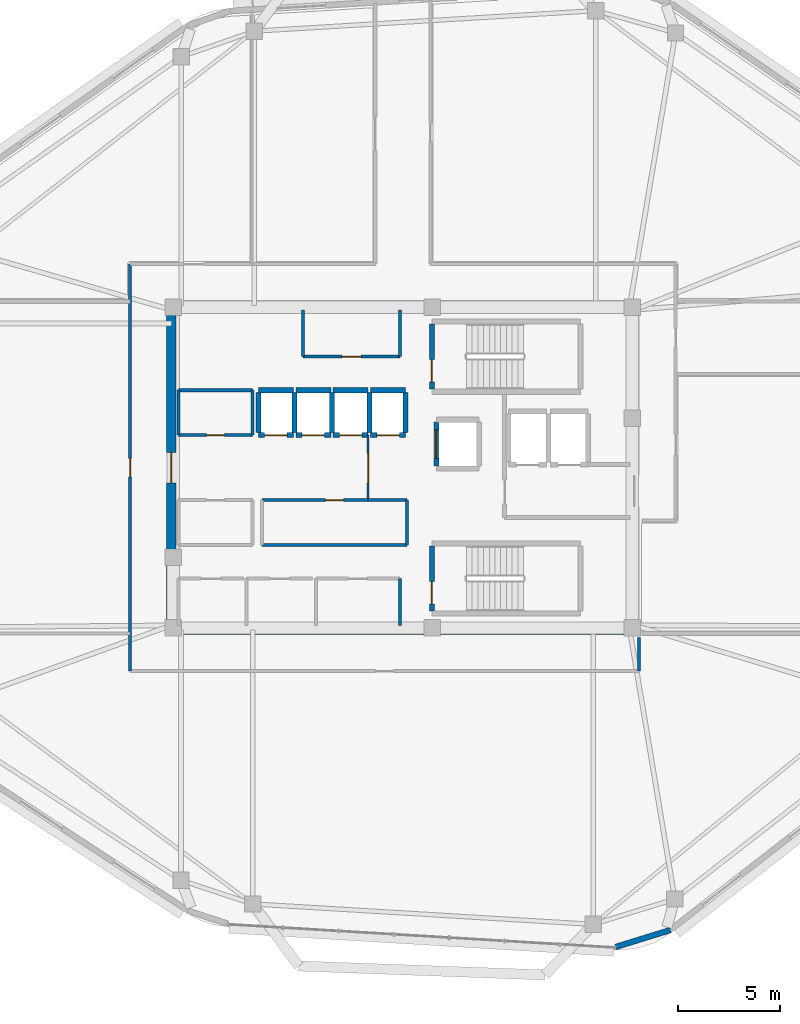
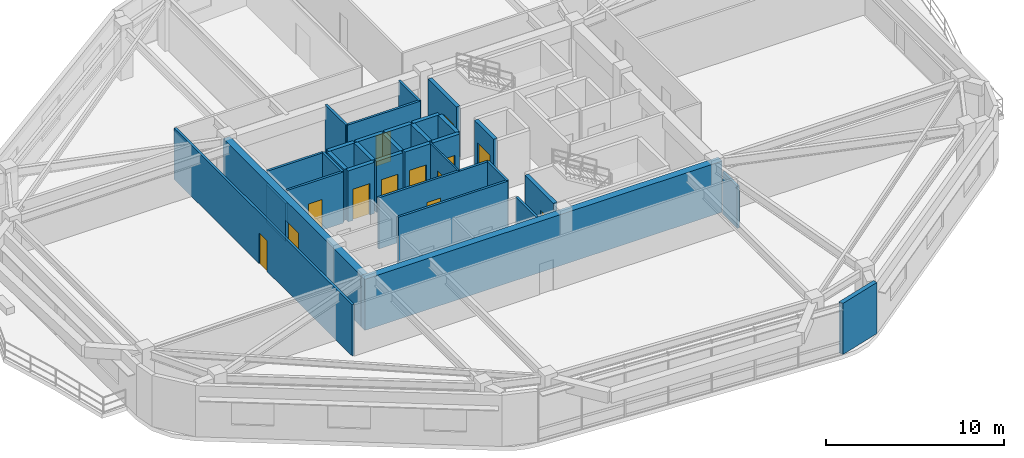
# One storey, part 7 of 12: 33 walls, 13 doors, 13 openings.
"""IFC4 building model written with IfcOpenShell, lengths in metres."""

from ifc_helpers import new_model, si_unit, direction, frame, frame_2d, origin, place, context, subcontext, project, spatial, rectangle, extrude, material, layer, layer_set, type_object, element, fill, save


model = new_model("IFC4")

# Units and contexts
model_context = context("Model", 3, precision=1e-05, world=origin(), true_north=direction((0.0, 1.0)))
body_context = subcontext(model_context, "Body", "Model", "MODEL_VIEW")
ifc_project = project(units=[si_unit("LENGTHUNIT", "METRE"), si_unit("AREAUNIT", "SQUARE_METRE"), si_unit("VOLUMEUNIT", "CUBIC_METRE"), si_unit("PLANEANGLEUNIT", "RADIAN"), si_unit("MASSUNIT", "GRAM", prefix="KILO")], contexts=[model_context])

# Site, building, storey
site_placement = place(None, origin())
site = spatial("IfcSite", under=ifc_project, at=site_placement, CompositionType="ELEMENT")
building_placement = place(site_placement, origin())
building = spatial("IfcBuilding", under=site, at=building_placement, Name="Zulverin Broadcast Headquarters", CompositionType="ELEMENT")
storey_placement = place(building_placement, frame((0.0, 0.0, 255.39990234375)))
storey = spatial("IfcBuildingStorey", under=building, at=storey_placement, Name="L65", CompositionType="ELEMENT", Elevation=255.39990234375)

# Wall
ifc_material_1 = material(Name="Concrete C50/60", Category="concrete")
ifc_layer_1 = layer(ifc_material_1, 0.449951171875, Name="Concrete C50/60", Category="concrete")
ifc_layer_set_1 = layer_set([ifc_layer_1], Name="Concrete C50/60")
wall_type_1 = type_object("IfcWallType", Name="WL-CORE-450", PredefinedType="SHEAR", material=ifc_layer_set_1)
wall_1_placement = place(storey_placement, frame((25.39990234375, 17.22509765625, 0.0), z_axis=(0.0, 0.0, 1.0), x_axis=(1.0, 0.0, 0.0)))
element("IfcWall", 1, at=wall_1_placement, inside=storey, type_object=wall_type_1, Name="L65 Core South Shear Wall", PredefinedType="SHEAR", context=body_context, shape_type="SweptSolid", body=[
    extrude(rectangle(XDim=23.2001953125, YDim=0.449951171875, at=frame_2d((11.60009765625, 0.0))), origin(), (0.0, 0.0, 1.0), 3.510009765625),
])

# Wall, opening, door
wall_2_placement = place(storey_placement, frame((25.625, 17.449951171875, 0.0), z_axis=(0.0, 0.0, 1.0), x_axis=(0.0, 1.0, 0.0)))
wall_2 = element("IfcWall", 2, at=wall_2_placement, inside=storey, type_object=wall_type_1, Name="L65 Core West Shear Wall", PredefinedType="SHEAR", context=body_context, shape_type="SweptSolid", body=[
    extrude(rectangle(XDim=15.5, YDim=0.449951171875, at=frame_2d((7.75, 0.0))), origin(), (0.0, 0.0, 1.0), 3.510009765625),
])
opening_1_placement = place(wall_2_placement, frame((7.0, 0.0, 0.0)))
opening_1 = element("IfcOpeningElement", 3, at=opening_1_placement, cuts=wall_2, Name="Opening D-L65-CW1", PredefinedType="OPENING", context=body_context, shape_type="SweptSolid", body=[
    extrude(rectangle(XDim=1.5, YDim=2.14990234375, at=frame_2d((0.75, 1.074951171875))), frame((0.0, 0.23486328125, 0.0), z_axis=(0.0, -1.0, 0.0), x_axis=(1.0, 0.0, 0.0)), (0.0, 0.0, 1.0), 0.469970703125),
])
ifc_material_2 = material(Name="Fire-rated glazed steel frame", Category="steel")
door_type_1 = type_object("IfcDoorType", Name="DR-COR-1500", OperationType="DOUBLE_DOOR_SINGLE_SWING", PredefinedType="DOOR", material=ifc_material_2)
door_1_placement = place(opening_1_placement, origin())
door_1 = element("IfcDoor", 4, at=door_1_placement, inside=storey, type_object=door_type_1, Name="L65 Central Lift Lobby West Portal Door", OperationType="DOUBLE_DOOR_SINGLE_SWING", OverallHeight=2.14990234375, OverallWidth=1.5, PredefinedType="DOOR", context=body_context, shape_type="SweptSolid", body=[
    extrude(rectangle(XDim=1.5, YDim=2.14990234375, at=frame_2d((0.75, 1.074951171875))), frame((0.0, 0.02490234375, 0.0), z_axis=(0.0, -1.0, 0.0), x_axis=(1.0, 0.0, 0.0)), (0.0, 0.0, 1.0), 0.050048828125),
])
fill(opening_1, door_1)

# Wall
ifc_material_3 = material(Name="Insulated pale-metal clad concrete spandrel C40/50", Category="concrete")
ifc_layer_2 = layer(ifc_material_3, 0.280029296875, Name="Insulated pale-metal clad concrete spandrel C40/50", Category="concrete")
ifc_layer_set_2 = layer_set([ifc_layer_2], Name="Insulated pale-metal clad concrete spandrel C40/50")
wall_type_2 = type_object("IfcWallType", Name="WL-EXT-280", PredefinedType="STANDARD", material=ifc_layer_set_2)
wall_3_placement = place(storey_placement, frame((47.4482421875, 1.6455078125, 0.0), z_axis=(0.0, 0.0, 1.0), x_axis=(0.955196399159, 0.295972699812, 0.0)))
element("IfcWall", 5, at=wall_3_placement, inside=storey, type_object=wall_type_2, Name="L65 Wind-Shaped Corner Spandrel Wall 1-1", PredefinedType="STANDARD", context=body_context, shape_type="SweptSolid", body=[
    extrude(rectangle(XDim=2.826904296875, YDim=0.280029296875, at=frame_2d((1.41357421875, 0.0))), origin(), (0.0, 0.0, 1.0), 3.510009765625),
])

# Wall, opening, door
ifc_material_4 = material(Name="Fire-rated acoustic laminated glass screen", Category="glass")
ifc_layer_3 = layer(ifc_material_4, 0.10009765625, Name="Fire-rated acoustic laminated glass screen", Category="glass")
ifc_layer_set_3 = layer_set([ifc_layer_3], Name="Fire-rated acoustic laminated glass screen")
wall_type_3 = type_object("IfcWallType", Name="WL-GLAZ-100", PredefinedType="PARTITIONING", material=ifc_layer_set_3)
wall_4_placement = place(storey_placement, frame((35.300048828125, 23.60009765625, 0.0), z_axis=(0.0, 0.0, 1.0), x_axis=(0.0, 1.0, 0.0)))
wall_4 = element("IfcWall", 6, at=wall_4_placement, inside=storey, type_object=wall_type_3, Name="L65 Central Core Smoke Vestibule Screen", PredefinedType="PARTITIONING", context=body_context, shape_type="SweptSolid", body=[
    extrude(rectangle(XDim=3.199951171875, YDim=0.10009765625, at=frame_2d((1.60009765625, 0.0))), origin(), (0.0, 0.0, 1.0), 3.510009765625),
])
opening_2_placement = place(wall_4_placement, frame((0.85009765625, 0.0, 0.0)))
opening_2 = element("IfcOpeningElement", 7, at=opening_2_placement, cuts=wall_4, Name="Opening D-L65-CL2", PredefinedType="OPENING", context=body_context, shape_type="SweptSolid", body=[
    extrude(rectangle(XDim=1.449951171875, YDim=2.1201171875, at=frame_2d((0.72509765625, 1.06005859375))), frame((0.0, 0.06005859375, 0.0), z_axis=(0.0, -1.0, 0.0), x_axis=(1.0, 0.0, 0.0)), (0.0, 0.0, 1.0), 0.1201171875),
])
ifc_material_5 = material(Name="Fire-rated acoustic glazed double leaf", Category="glass")
door_type_2 = type_object("IfcDoorType", Name="DR-GLZ-1450", OperationType="DOUBLE_DOOR_SINGLE_SWING", PredefinedType="DOOR", material=ifc_material_5)
door_2_placement = place(opening_2_placement, origin())
door_2 = element("IfcDoor", 8, at=door_2_placement, inside=storey, type_object=door_type_2, Name="L65 Central Core Smoke Vestibule Door", OperationType="DOUBLE_DOOR_SINGLE_SWING", OverallHeight=2.1201171875, OverallWidth=1.449951171875, PredefinedType="DOOR", context=body_context, shape_type="SweptSolid", body=[
    extrude(rectangle(XDim=1.449951171875, YDim=2.1201171875, at=frame_2d((0.72509765625, 1.06005859375))), frame((0.0, 0.02490234375, 0.0), z_axis=(0.0, -1.0, 0.0), x_axis=(1.0, 0.0, 0.0)), (0.0, 0.0, 1.0), 0.050048828125),
])
fill(opening_2, door_2)

ifc_material_6 = material(Name="Fire-rated gypsum stud partition", Category="gypsum")
ifc_layer_4 = layer(ifc_material_6, 0.14990234375, Name="Fire-rated gypsum stud partition", Category="gypsum")
ifc_layer_set_4 = layer_set([ifc_layer_4], Name="Fire-rated gypsum stud partition")
wall_type_4 = type_object("IfcWallType", Name="WL-PART-150", PredefinedType="PARTITIONING", material=ifc_layer_set_4)
wall_5_placement = place(storey_placement, frame((32.10009765625, 30.64990234375, 0.0), z_axis=(0.0, 0.0, 1.0), x_axis=(1.0, 0.0, 0.0)))
wall_5 = element("IfcWall", 9, at=wall_5_placement, inside=storey, type_object=wall_type_4, Name="L65 Core Accessible WC & Electrical Riser Front Wall", PredefinedType="PARTITIONING", context=body_context, shape_type="SweptSolid", body=[
    extrude(rectangle(XDim=4.75, YDim=0.14990234375, at=frame_2d((2.375, 0.0))), origin(), (0.0, 0.0, 1.0), 3.510009765625),
])
opening_3_placement = place(wall_5_placement, frame((1.89990234375, 0.0, 0.0)))
opening_3 = element("IfcOpeningElement", 10, at=opening_3_placement, cuts=wall_5, Name="Opening D-L65-NC1", PredefinedType="OPENING", context=body_context, shape_type="SweptSolid", body=[
    extrude(rectangle(XDim=0.949951171875, YDim=2.10009765625, at=frame_2d((0.47509765625, 1.050048828125))), frame((0.0, 0.0849609375, 0.0), z_axis=(0.0, -1.0, 0.0), x_axis=(1.0, 0.0, 0.0)), (0.0, 0.0, 1.0), 0.169921875),
])
ifc_material_7 = material(Name="Fire-rated moisture-resistant laminate leaf", Category="wood")
door_type_3 = type_object("IfcDoorType", Name="DR-WC-950", OperationType="SINGLE_SWING_LEFT", PredefinedType="DOOR", material=ifc_material_7)
door_3_placement = place(opening_3_placement, origin())
door_3 = element("IfcDoor", 11, at=door_3_placement, inside=storey, type_object=door_type_3, Name="L65 Accessible WC & Electrical Riser Door", OperationType="SINGLE_SWING_LEFT", OverallHeight=2.10009765625, OverallWidth=0.949951171875, PredefinedType="DOOR", context=body_context, shape_type="SweptSolid", body=[
    extrude(rectangle(XDim=0.949951171875, YDim=2.10009765625, at=frame_2d((0.47509765625, 1.050048828125))), frame((0.0, 0.02490234375, 0.0), z_axis=(0.0, -1.0, 0.0), x_axis=(1.0, 0.0, 0.0)), (0.0, 0.0, 1.0), 0.050048828125),
])
fill(opening_3, door_3)

# Walls
for number, where, z_axis, x_axis, name in (
    (12, (32.10009765625, 30.64990234375, 0.0), (0.0, 0.0, 1.0), (0.0, 1.0, 0.0), "L65 Core Accessible WC & Electrical Riser West Wall"),
    (13, (36.85009765625, 30.64990234375, 0.0), (0.0, 0.0, 1.0), (0.0, 1.0, 0.0), "L65 Core Accessible WC & Electrical Riser East Wall"),
    (14, (36.85009765625, 17.449951171875, 0.0), (0.0, 0.0, 1.0), (0.0, 1.0, 0.0), "L65 Core Cleaner Store East Wall"),
):
    element("IfcWall", number, at=place(storey_placement, frame(where, z_axis=z_axis, x_axis=x_axis)), inside=storey, type_object=wall_type_4, Name=name, PredefinedType="PARTITIONING", context=body_context, shape_type="SweptSolid", body=[
        extrude(rectangle(XDim=2.300048828125, YDim=0.14990234375, at=frame_2d((1.14990234375, 0.0))), origin(), (0.0, 0.0, 1.0), 3.510009765625),
    ])

# Wall, opening, door
wall_6_placement = place(storey_placement, frame((25.969970703125, 26.800048828125, 0.0), z_axis=(0.0, 0.0, 1.0), x_axis=(1.0, 0.0, 0.0)))
wall_6 = element("IfcWall", 15, at=wall_6_placement, inside=storey, type_object=wall_type_4, Name="L65 Broadcast Signal Patch Room S Wall", PredefinedType="PARTITIONING", context=body_context, shape_type="SweptSolid", body=[
    extrude(rectangle(XDim=3.650146484375, YDim=0.14990234375, at=frame_2d((1.8251953125, 0.0))), origin(), (0.0, 0.0, 1.0), 3.510009765625),
])
opening_4_placement = place(wall_6_placement, frame((1.375, 0.0, 0.0)))
opening_4 = element("IfcOpeningElement", 16, at=opening_4_placement, cuts=wall_6, Name="Opening D-L65-RCLN", PredefinedType="OPENING", context=body_context, shape_type="SweptSolid", body=[
    extrude(rectangle(XDim=0.89990234375, YDim=2.10009765625, at=frame_2d((0.449951171875, 1.050048828125))), frame((0.0, 0.0849609375, 0.0), z_axis=(0.0, -1.0, 0.0), x_axis=(1.0, 0.0, 0.0)), (0.0, 0.0, 1.0), 0.169921875),
])
ifc_material_8 = material(Name="Powder-coated steel access leaf", Category="steel")
door_type_4 = type_object("IfcDoorType", Name="DR-RISER-900", OperationType="SINGLE_SWING_LEFT", PredefinedType="DOOR", material=ifc_material_8)
door_4_placement = place(opening_4_placement, origin())
door_4 = element("IfcDoor", 17, at=door_4_placement, inside=storey, type_object=door_type_4, Name="L65 Broadcast Signal Patch Room Door", OperationType="SINGLE_SWING_LEFT", OverallHeight=2.10009765625, OverallWidth=0.89990234375, PredefinedType="DOOR", context=body_context, shape_type="SweptSolid", body=[
    extrude(rectangle(XDim=0.89990234375, YDim=2.10009765625, at=frame_2d((0.449951171875, 1.050048828125))), frame((0.0, 0.02490234375, 0.0), z_axis=(0.0, -1.0, 0.0), x_axis=(1.0, 0.0, 0.0)), (0.0, 0.0, 1.0), 0.050048828125),
])
fill(opening_4, door_4)

# Walls
wall_7_placement = place(storey_placement, frame((25.969970703125, 29.0, 0.0), z_axis=(0.0, 0.0, 1.0), x_axis=(1.0, 0.0, 0.0)))
element("IfcWall", 18, at=wall_7_placement, inside=storey, type_object=wall_type_4, Name="L65 Broadcast Signal Patch Room N Wall", PredefinedType="PARTITIONING", context=body_context, shape_type="SweptSolid", body=[
    extrude(rectangle(XDim=3.650146484375, YDim=0.14990234375, at=frame_2d((1.8251953125, 0.0))), origin(), (0.0, 0.0, 1.0), 3.510009765625),
])
wall_8_placement = place(storey_placement, frame((25.969970703125, 26.800048828125, 0.0), z_axis=(0.0, 0.0, 1.0), x_axis=(0.0, 1.0, 0.0)))
element("IfcWall", 19, at=wall_8_placement, inside=storey, type_object=wall_type_4, Name="L65 Broadcast Signal Patch Room W Wall", PredefinedType="PARTITIONING", context=body_context, shape_type="SweptSolid", body=[
    extrude(rectangle(XDim=2.199951171875, YDim=0.14990234375, at=frame_2d((1.10009765625, 0.0))), origin(), (0.0, 0.0, 1.0), 2.610107421875),
])
wall_9_placement = place(storey_placement, frame((29.6201171875, 26.800048828125, 0.0), z_axis=(0.0, 0.0, 1.0), x_axis=(0.0, 1.0, 0.0)))
element("IfcWall", 20, at=wall_9_placement, inside=storey, type_object=wall_type_4, Name="L65 Broadcast Signal Patch Room E Wall", PredefinedType="PARTITIONING", context=body_context, shape_type="SweptSolid", body=[
    extrude(rectangle(XDim=2.199951171875, YDim=0.14990234375, at=frame_2d((1.10009765625, 0.0))), origin(), (0.0, 0.0, 1.0), 3.510009765625),
])
wall_10_placement = place(storey_placement, frame((30.080078125, 21.39990234375, 0.0), z_axis=(0.0, 0.0, 1.0), x_axis=(1.0, 0.0, 0.0)))
element("IfcWall", 21, at=wall_10_placement, inside=storey, type_object=wall_type_4, Name="L65 Optical Telemetry Hub Room S Wall", PredefinedType="PARTITIONING", context=body_context, shape_type="SweptSolid", body=[
    extrude(rectangle(XDim=7.119873046875, YDim=0.14990234375, at=frame_2d((3.56005859375, 0.0))), origin(), (0.0, 0.0, 1.0), 3.510009765625),
])

# Wall, opening, door
wall_11_placement = place(storey_placement, frame((30.080078125, 23.60009765625, 0.0), z_axis=(0.0, 0.0, 1.0), x_axis=(1.0, 0.0, 0.0)))
wall_11 = element("IfcWall", 22, at=wall_11_placement, inside=storey, type_object=wall_type_4, Name="L65 Optical Telemetry Hub Room N Wall", PredefinedType="PARTITIONING", context=body_context, shape_type="SweptSolid", body=[
    extrude(rectangle(XDim=7.119873046875, YDim=0.14990234375, at=frame_2d((3.56005859375, 0.0))), origin(), (0.0, 0.0, 1.0), 3.510009765625),
])
opening_5_placement = place(wall_11_placement, frame((3.110107421875, 0.0, 0.0)))
opening_5 = element("IfcOpeningElement", 23, at=opening_5_placement, cuts=wall_11, Name="Opening D-L65-RM1", PredefinedType="OPENING", context=body_context, shape_type="SweptSolid", body=[
    extrude(rectangle(XDim=0.89990234375, YDim=2.10009765625, at=frame_2d((0.449951171875, 1.050048828125))), frame((0.0, 0.0849609375, 0.0), z_axis=(0.0, -1.0, 0.0), x_axis=(1.0, 0.0, 0.0)), (0.0, 0.0, 1.0), 0.169921875),
])
door_5_placement = place(opening_5_placement, origin())
door_5 = element("IfcDoor", 24, at=door_5_placement, inside=storey, type_object=door_type_4, Name="L65 Optical Telemetry Hub Room Door", OperationType="SINGLE_SWING_LEFT", OverallHeight=2.10009765625, OverallWidth=0.89990234375, PredefinedType="DOOR", context=body_context, shape_type="SweptSolid", body=[
    extrude(rectangle(XDim=0.89990234375, YDim=2.10009765625, at=frame_2d((0.449951171875, 1.050048828125))), frame((0.0, 0.02490234375, 0.0), z_axis=(0.0, -1.0, 0.0), x_axis=(1.0, 0.0, 0.0)), (0.0, 0.0, 1.0), 0.050048828125),
])
fill(opening_5, door_5)

# Walls
wall_12_placement = place(storey_placement, frame((37.199951171875, 21.39990234375, 0.0), z_axis=(0.0, 0.0, 1.0), x_axis=(0.0, 1.0, 0.0)))
element("IfcWall", 25, at=wall_12_placement, inside=storey, type_object=wall_type_4, Name="L65 Optical Telemetry Hub Room E Wall", PredefinedType="PARTITIONING", context=body_context, shape_type="SweptSolid", body=[
    extrude(rectangle(XDim=2.2001953125, YDim=0.14990234375, at=frame_2d((1.10009765625, 0.0))), origin(), (0.0, 0.0, 1.0), 3.510009765625),
])
wall_13_placement = place(storey_placement, frame((48.60009765625, 15.199951171875, 0.0), z_axis=(0.0, 0.0, 1.0), x_axis=(0.0, 1.0, 0.0)))
element("IfcWall", 26, at=wall_13_placement, inside=storey, type_object=wall_type_4, Name="L65 Gallery Partition Wall CG-02", PredefinedType="PARTITIONING", context=body_context, shape_type="SweptSolid", body=[
    extrude(rectangle(XDim=1.66015625, YDim=0.14990234375, at=frame_2d((0.830078125, 0.0))), origin(), (0.0, 0.0, 1.0), 2.892822265625),
])

# Wall, opening, door
wall_14_placement = place(storey_placement, frame((23.60009765625, 15.199951171875, 0.0), z_axis=(0.0, 0.0, 1.0), x_axis=(0.0, 1.0, 0.0)))
wall_14 = element("IfcWall", 27, at=wall_14_placement, inside=storey, type_object=wall_type_4, Name="L65 Gallery Partition Wall CG-06", PredefinedType="PARTITIONING", context=body_context, shape_type="SweptSolid", body=[
    extrude(rectangle(XDim=20.0, YDim=0.14990234375, at=frame_2d((10.0, 0.0))), origin(), (0.0, 0.0, 1.0), 3.510009765625),
])
opening_6_placement = place(wall_14_placement, frame((9.550048828125, 0.0, 0.0)))
opening_6 = element("IfcOpeningElement", 28, at=opening_6_placement, cuts=wall_14, Name="Opening D-L65-05", PredefinedType="OPENING", context=body_context, shape_type="SweptSolid", body=[
    extrude(rectangle(XDim=0.89990234375, YDim=2.10009765625, at=frame_2d((0.449951171875, 1.050048828125))), frame((0.0, 0.0849609375, 0.0), z_axis=(0.0, -1.0, 0.0), x_axis=(1.0, 0.0, 0.0)), (0.0, 0.0, 1.0), 0.169921875),
])
ifc_material_9 = material(Name="Fire-rated hardwood veneer timber leaf", Category="wood")
door_type_5 = type_object("IfcDoorType", Name="DR-ROOM-900", OperationType="SINGLE_SWING_RIGHT", PredefinedType="DOOR", material=ifc_material_9)
door_6_placement = place(opening_6_placement, origin())
door_6 = element("IfcDoor", 29, at=door_6_placement, inside=storey, type_object=door_type_5, Name="L65 High-Rise Sky Lobby Reception Door", OperationType="SINGLE_SWING_LEFT", OverallHeight=2.10009765625, OverallWidth=0.89990234375, PredefinedType="DOOR", context=body_context, shape_type="SweptSolid", body=[
    extrude(rectangle(XDim=0.89990234375, YDim=2.10009765625, at=frame_2d((0.449951171875, 1.050048828125))), frame((0.0, 0.02490234375, 0.0), z_axis=(0.0, -1.0, 0.0), x_axis=(1.0, 0.0, 0.0)), (0.0, 0.0, 1.0), 0.050048828125),
])
fill(opening_6, door_6)

ifc_layer_5 = layer(ifc_material_1, 0.25, Name="Concrete C50/60", Category="concrete")
ifc_layer_set_5 = layer_set([ifc_layer_5], Name="Concrete C50/60")
wall_type_5 = type_object("IfcWallType", Name="WL-SHAFT-250", PredefinedType="SHEAR", material=ifc_layer_set_5)
wall_15_placement = place(storey_placement, frame((38.425048828125, 29.050048828125, 0.0), z_axis=(0.0, 0.0, 1.0), x_axis=(0.0, 1.0, 0.0)))
wall_15 = element("IfcWall", 30, at=wall_15_placement, inside=storey, type_object=wall_type_5, Name="L65 ST-1 Enclosure Wall W", PredefinedType="SHEAR", context=body_context, shape_type="SweptSolid", body=[
    extrude(rectangle(XDim=3.199951171875, YDim=0.25, at=frame_2d((1.60009765625, 0.0))), origin(), (0.0, 0.0, 1.0), 3.510009765625),
])
opening_7_placement = place(wall_15_placement, frame((0.35009765625, 0.0, 0.0)))
opening_7 = element("IfcOpeningElement", 31, at=opening_7_placement, cuts=wall_15, Name="Opening D-L65-ST-1", PredefinedType="OPENING", context=body_context, shape_type="SweptSolid", body=[
    extrude(rectangle(XDim=1.10009765625, YDim=2.14990234375, at=frame_2d((0.550048828125, 1.074951171875))), frame((0.0, 0.135009765625, 0.0), z_axis=(0.0, -1.0, 0.0), x_axis=(1.0, 0.0, 0.0)), (0.0, 0.0, 1.0), 0.27001953125),
])
ifc_material_10 = material(Name="Fire-rated steel leaf and frame", Category="steel")
door_type_6 = type_object("IfcDoorType", Name="DR-STAIR-1100", OperationType="SINGLE_SWING_LEFT", PredefinedType="DOOR", material=ifc_material_10)
door_7_placement = place(opening_7_placement, origin())
door_7 = element("IfcDoor", 32, at=door_7_placement, inside=storey, type_object=door_type_6, Name="L65 Exit Stair ST-1 Fire Door", OperationType="SINGLE_SWING_LEFT", OverallHeight=2.14990234375, OverallWidth=1.10009765625, PredefinedType="DOOR", context=body_context, shape_type="SweptSolid", body=[
    extrude(rectangle(XDim=1.10009765625, YDim=2.14990234375, at=frame_2d((0.550048828125, 1.074951171875))), frame((0.0, 0.02490234375, 0.0), z_axis=(0.0, -1.0, 0.0), x_axis=(1.0, 0.0, 0.0)), (0.0, 0.0, 1.0), 0.050048828125),
])
fill(opening_7, door_7)

wall_16_placement = place(storey_placement, frame((38.425048828125, 18.14990234375, 0.0), z_axis=(0.0, 0.0, 1.0), x_axis=(0.0, 1.0, 0.0)))
wall_16 = element("IfcWall", 33, at=wall_16_placement, inside=storey, type_object=wall_type_5, Name="L65 ST-2 Enclosure Wall W", PredefinedType="SHEAR", context=body_context, shape_type="SweptSolid", body=[
    extrude(rectangle(XDim=3.2001953125, YDim=0.25, at=frame_2d((1.60009765625, 0.0))), origin(), (0.0, 0.0, 1.0), 3.510009765625),
])
opening_8_placement = place(wall_16_placement, frame((0.35009765625, 0.0, 0.0)))
opening_8 = element("IfcOpeningElement", 34, at=opening_8_placement, cuts=wall_16, Name="Opening D-L65-ST-2", PredefinedType="OPENING", context=body_context, shape_type="SweptSolid", body=[
    extrude(rectangle(XDim=1.10009765625, YDim=2.14990234375, at=frame_2d((0.550048828125, 1.074951171875))), frame((0.0, 0.135009765625, 0.0), z_axis=(0.0, -1.0, 0.0), x_axis=(1.0, 0.0, 0.0)), (0.0, 0.0, 1.0), 0.27001953125),
])
door_8_placement = place(opening_8_placement, origin())
door_8 = element("IfcDoor", 35, at=door_8_placement, inside=storey, type_object=door_type_6, Name="L65 Exit Stair ST-2 Fire Door", OperationType="SINGLE_SWING_RIGHT", OverallHeight=2.14990234375, OverallWidth=1.10009765625, PredefinedType="DOOR", context=body_context, shape_type="SweptSolid", body=[
    extrude(rectangle(XDim=1.10009765625, YDim=2.14990234375, at=frame_2d((0.550048828125, 1.074951171875))), frame((0.0, 0.02490234375, 0.0), z_axis=(0.0, -1.0, 0.0), x_axis=(1.0, 0.0, 0.0)), (0.0, 0.0, 1.0), 0.050048828125),
])
fill(opening_8, door_8)

wall_17_placement = place(storey_placement, frame((29.89990234375, 26.800048828125, 0.0), z_axis=(0.0, 0.0, 1.0), x_axis=(1.0, 0.0, 0.0)))
wall_17 = element("IfcWall", 36, at=wall_17_placement, inside=storey, type_object=wall_type_5, Name="L65 Lift PL-H1 Shaft Wall S", PredefinedType="SHEAR", context=body_context, shape_type="SweptSolid", body=[
    extrude(rectangle(XDim=1.72021484375, YDim=0.25, at=frame_2d((0.860107421875, 0.0))), origin(), (0.0, 0.0, 1.0), 3.510009765625),
])
opening_9_placement = place(wall_17_placement, frame((0.31005859375, 0.0, 0.0)))
opening_9 = element("IfcOpeningElement", 37, at=opening_9_placement, cuts=wall_17, Name="Opening LD-PL-H1-L65", PredefinedType="OPENING", context=body_context, shape_type="SweptSolid", body=[
    extrude(rectangle(XDim=1.10009765625, YDim=2.14990234375, at=frame_2d((0.550048828125, 1.074951171875))), frame((0.0, 0.135009765625, 0.0), z_axis=(0.0, -1.0, 0.0), x_axis=(1.0, 0.0, 0.0)), (0.0, 0.0, 1.0), 0.27001953125),
])
ifc_material_11 = material(Name="Brushed stainless steel landing", Category="steel")
door_type_7 = type_object("IfcDoorType", Name="LD-PASS-1100", OperationType="DOUBLE_DOOR_SLIDING", PredefinedType="DOOR", material=ifc_material_11)
door_9_placement = place(opening_9_placement, origin())
door_9 = element("IfcDoor", 38, at=door_9_placement, inside=storey, type_object=door_type_7, Name="L65 Lift PL-H1 Sliding Landing Door", OperationType="DOUBLE_DOOR_SLIDING", OverallHeight=2.14990234375, OverallWidth=1.10009765625, PredefinedType="DOOR", context=body_context, shape_type="SweptSolid", body=[
    extrude(rectangle(XDim=1.10009765625, YDim=2.14990234375, at=frame_2d((0.550048828125, 1.074951171875))), frame((0.0, 0.02490234375, 0.0), z_axis=(0.0, -1.0, 0.0), x_axis=(1.0, 0.0, 0.0)), (0.0, 0.0, 1.0), 0.050048828125),
])
fill(opening_9, door_9)

# Walls
wall_18_placement = place(storey_placement, frame((29.89990234375, 29.0, 0.0), z_axis=(0.0, 0.0, 1.0), x_axis=(1.0, 0.0, 0.0)))
element("IfcWall", 39, at=wall_18_placement, inside=storey, type_object=wall_type_5, Name="L65 Lift PL-H1 Shaft Wall N", PredefinedType="SHEAR", context=body_context, shape_type="SweptSolid", body=[
    extrude(rectangle(XDim=1.72021484375, YDim=0.25, at=frame_2d((0.860107421875, 0.0))), origin(), (0.0, 0.0, 1.0), 3.510009765625),
])
for number, where, z_axis, x_axis, name in (
    (40, (29.89990234375, 26.919921875, 0.0), (0.0, 0.0, 1.0), (0.0, 1.0, 0.0), "L65 Lift PL-H1 Shaft Wall W"),
    (41, (31.679931640625, 26.919921875, 0.0), (0.0, 0.0, 1.0), (0.0, 1.0, 0.0), "L65 Lift PL-H1 Shaft Wall E"),
):
    element("IfcWall", number, at=place(storey_placement, frame(where, z_axis=z_axis, x_axis=x_axis)), inside=storey, type_object=wall_type_5, Name=name, PredefinedType="SHEAR", context=body_context, shape_type="SweptSolid", body=[
        extrude(rectangle(XDim=1.9599609375, YDim=0.25, at=frame_2d((0.97998046875, 0.0))), origin(), (0.0, 0.0, 1.0), 3.510009765625),
    ])

# Wall, opening, door
wall_19_placement = place(storey_placement, frame((31.739990234375, 26.800048828125, 0.0), z_axis=(0.0, 0.0, 1.0), x_axis=(1.0, 0.0, 0.0)))
wall_19 = element("IfcWall", 42, at=wall_19_placement, inside=storey, type_object=wall_type_5, Name="L65 Lift PL-H2 Shaft Wall S", PredefinedType="SHEAR", context=body_context, shape_type="SweptSolid", body=[
    extrude(rectangle(XDim=1.719970703125, YDim=0.25, at=frame_2d((0.85986328125, 0.0))), origin(), (0.0, 0.0, 1.0), 3.510009765625),
])
opening_10_placement = place(wall_19_placement, frame((0.31005859375, 0.0, 0.0)))
opening_10 = element("IfcOpeningElement", 43, at=opening_10_placement, cuts=wall_19, Name="Opening LD-PL-H2-L65", PredefinedType="OPENING", context=body_context, shape_type="SweptSolid", body=[
    extrude(rectangle(XDim=1.10009765625, YDim=2.14990234375, at=frame_2d((0.550048828125, 1.074951171875))), frame((0.0, 0.135009765625, 0.0), z_axis=(0.0, -1.0, 0.0), x_axis=(1.0, 0.0, 0.0)), (0.0, 0.0, 1.0), 0.27001953125),
])
door_10_placement = place(opening_10_placement, origin())
door_10 = element("IfcDoor", 44, at=door_10_placement, inside=storey, type_object=door_type_7, Name="L65 Lift PL-H2 Sliding Landing Door", OperationType="DOUBLE_DOOR_SLIDING", OverallHeight=2.14990234375, OverallWidth=1.10009765625, PredefinedType="DOOR", context=body_context, shape_type="SweptSolid", body=[
    extrude(rectangle(XDim=1.10009765625, YDim=2.14990234375, at=frame_2d((0.550048828125, 1.074951171875))), frame((0.0, 0.02490234375, 0.0), z_axis=(0.0, -1.0, 0.0), x_axis=(1.0, 0.0, 0.0)), (0.0, 0.0, 1.0), 0.050048828125),
])
fill(opening_10, door_10)

# Walls
wall_20_placement = place(storey_placement, frame((31.739990234375, 29.0, 0.0), z_axis=(0.0, 0.0, 1.0), x_axis=(1.0, 0.0, 0.0)))
element("IfcWall", 45, at=wall_20_placement, inside=storey, type_object=wall_type_5, Name="L65 Lift PL-H2 Shaft Wall N", PredefinedType="SHEAR", context=body_context, shape_type="SweptSolid", body=[
    extrude(rectangle(XDim=1.719970703125, YDim=0.25, at=frame_2d((0.85986328125, 0.0))), origin(), (0.0, 0.0, 1.0), 3.510009765625),
])
wall_21_placement = place(storey_placement, frame((33.52001953125, 26.919921875, 0.0), z_axis=(0.0, 0.0, 1.0), x_axis=(0.0, 1.0, 0.0)))
element("IfcWall", 46, at=wall_21_placement, inside=storey, type_object=wall_type_5, Name="L65 Lift PL-H2 Shaft Wall E", PredefinedType="SHEAR", context=body_context, shape_type="SweptSolid", body=[
    extrude(rectangle(XDim=1.9599609375, YDim=0.25, at=frame_2d((0.97998046875, 0.0))), origin(), (0.0, 0.0, 1.0), 3.510009765625),
])

# Wall, opening, door
wall_22_placement = place(storey_placement, frame((33.580078125, 26.800048828125, 0.0), z_axis=(0.0, 0.0, 1.0), x_axis=(1.0, 0.0, 0.0)))
wall_22 = element("IfcWall", 47, at=wall_22_placement, inside=storey, type_object=wall_type_5, Name="L65 Lift PL-H3 Shaft Wall S", PredefinedType="SHEAR", context=body_context, shape_type="SweptSolid", body=[
    extrude(rectangle(XDim=1.719970703125, YDim=0.25, at=frame_2d((0.85986328125, 0.0))), origin(), (0.0, 0.0, 1.0), 3.510009765625),
])
opening_11_placement = place(wall_22_placement, frame((0.31005859375, 0.0, 0.0)))
opening_11 = element("IfcOpeningElement", 48, at=opening_11_placement, cuts=wall_22, Name="Opening LD-PL-H3-L65", PredefinedType="OPENING", context=body_context, shape_type="SweptSolid", body=[
    extrude(rectangle(XDim=1.10009765625, YDim=2.14990234375, at=frame_2d((0.550048828125, 1.074951171875))), frame((0.0, 0.135009765625, 0.0), z_axis=(0.0, -1.0, 0.0), x_axis=(1.0, 0.0, 0.0)), (0.0, 0.0, 1.0), 0.27001953125),
])
door_11_placement = place(opening_11_placement, origin())
door_11 = element("IfcDoor", 49, at=door_11_placement, inside=storey, type_object=door_type_7, Name="L65 Lift PL-H3 Sliding Landing Door", OperationType="DOUBLE_DOOR_SLIDING", OverallHeight=2.14990234375, OverallWidth=1.10009765625, PredefinedType="DOOR", context=body_context, shape_type="SweptSolid", body=[
    extrude(rectangle(XDim=1.10009765625, YDim=2.14990234375, at=frame_2d((0.550048828125, 1.074951171875))), frame((0.0, 0.02490234375, 0.0), z_axis=(0.0, -1.0, 0.0), x_axis=(1.0, 0.0, 0.0)), (0.0, 0.0, 1.0), 0.050048828125),
])
fill(opening_11, door_11)

# Walls
wall_23_placement = place(storey_placement, frame((33.580078125, 29.0, 0.0), z_axis=(0.0, 0.0, 1.0), x_axis=(1.0, 0.0, 0.0)))
element("IfcWall", 50, at=wall_23_placement, inside=storey, type_object=wall_type_5, Name="L65 Lift PL-H3 Shaft Wall N", PredefinedType="SHEAR", context=body_context, shape_type="SweptSolid", body=[
    extrude(rectangle(XDim=1.719970703125, YDim=0.25, at=frame_2d((0.85986328125, 0.0))), origin(), (0.0, 0.0, 1.0), 3.510009765625),
])
wall_24_placement = place(storey_placement, frame((35.360107421875, 26.919921875, 0.0), z_axis=(0.0, 0.0, 1.0), x_axis=(0.0, 1.0, 0.0)))
element("IfcWall", 51, at=wall_24_placement, inside=storey, type_object=wall_type_5, Name="L65 Lift PL-H3 Shaft Wall E", PredefinedType="SHEAR", context=body_context, shape_type="SweptSolid", body=[
    extrude(rectangle(XDim=1.9599609375, YDim=0.25, at=frame_2d((0.97998046875, 0.0))), origin(), (0.0, 0.0, 1.0), 3.510009765625),
])

# Wall, opening, door
wall_25_placement = place(storey_placement, frame((35.419921875, 26.800048828125, 0.0), z_axis=(0.0, 0.0, 1.0), x_axis=(1.0, 0.0, 0.0)))
wall_25 = element("IfcWall", 52, at=wall_25_placement, inside=storey, type_object=wall_type_5, Name="L65 Lift PL-H4 Shaft Wall S", PredefinedType="SHEAR", context=body_context, shape_type="SweptSolid", body=[
    extrude(rectangle(XDim=1.719970703125, YDim=0.25, at=frame_2d((0.85986328125, 0.0))), origin(), (0.0, 0.0, 1.0), 3.510009765625),
])
opening_12_placement = place(wall_25_placement, frame((0.31005859375, 0.0, 0.0)))
opening_12 = element("IfcOpeningElement", 53, at=opening_12_placement, cuts=wall_25, Name="Opening LD-PL-H4-L65", PredefinedType="OPENING", context=body_context, shape_type="SweptSolid", body=[
    extrude(rectangle(XDim=1.10009765625, YDim=2.14990234375, at=frame_2d((0.550048828125, 1.074951171875))), frame((0.0, 0.135009765625, 0.0), z_axis=(0.0, -1.0, 0.0), x_axis=(1.0, 0.0, 0.0)), (0.0, 0.0, 1.0), 0.27001953125),
])
door_12_placement = place(opening_12_placement, origin())
door_12 = element("IfcDoor", 54, at=door_12_placement, inside=storey, type_object=door_type_7, Name="L65 Lift PL-H4 Sliding Landing Door", OperationType="DOUBLE_DOOR_SLIDING", OverallHeight=2.14990234375, OverallWidth=1.10009765625, PredefinedType="DOOR", context=body_context, shape_type="SweptSolid", body=[
    extrude(rectangle(XDim=1.10009765625, YDim=2.14990234375, at=frame_2d((0.550048828125, 1.074951171875))), frame((0.0, 0.02490234375, 0.0), z_axis=(0.0, -1.0, 0.0), x_axis=(1.0, 0.0, 0.0)), (0.0, 0.0, 1.0), 0.050048828125),
])
fill(opening_12, door_12)

# Walls
wall_26_placement = place(storey_placement, frame((35.419921875, 29.0, 0.0), z_axis=(0.0, 0.0, 1.0), x_axis=(1.0, 0.0, 0.0)))
element("IfcWall", 55, at=wall_26_placement, inside=storey, type_object=wall_type_5, Name="L65 Lift PL-H4 Shaft Wall N", PredefinedType="SHEAR", context=body_context, shape_type="SweptSolid", body=[
    extrude(rectangle(XDim=1.719970703125, YDim=0.25, at=frame_2d((0.85986328125, 0.0))), origin(), (0.0, 0.0, 1.0), 3.510009765625),
])
wall_27_placement = place(storey_placement, frame((37.139892578125, 26.919921875, 0.0), z_axis=(0.0, 0.0, 1.0), x_axis=(0.0, 1.0, 0.0)))
element("IfcWall", 56, at=wall_27_placement, inside=storey, type_object=wall_type_5, Name="L65 Lift PL-H4 Shaft Wall E", PredefinedType="SHEAR", context=body_context, shape_type="SweptSolid", body=[
    extrude(rectangle(XDim=1.9599609375, YDim=0.25, at=frame_2d((0.97998046875, 0.0))), origin(), (0.0, 0.0, 1.0), 3.510009765625),
])

# Wall, opening, door
wall_28_placement = place(storey_placement, frame((38.64990234375, 25.27001953125, 0.0), z_axis=(0.0, 0.0, 1.0), x_axis=(0.0, 1.0, 0.0)))
wall_28 = element("IfcWall", 57, at=wall_28_placement, inside=storey, type_object=wall_type_5, Name="L65 Lift SVL-1 Shaft Wall W", PredefinedType="SHEAR", context=body_context, shape_type="SweptSolid", body=[
    extrude(rectangle(XDim=2.159912109375, YDim=0.25, at=frame_2d((1.080078125, 0.0))), origin(), (0.0, 0.0, 1.0), 3.510009765625),
])
opening_13_placement = place(wall_28_placement, frame((0.3798828125, 0.0, 0.0)))
opening_13 = element("IfcOpeningElement", 58, at=opening_13_placement, cuts=wall_28, Name="Opening LD-SVL-1-L65", PredefinedType="OPENING", context=body_context, shape_type="SweptSolid", body=[
    extrude(rectangle(XDim=1.39990234375, YDim=2.199951171875, at=frame_2d((0.699951171875, 1.10009765625))), frame((0.0, 0.135009765625, 0.0), z_axis=(0.0, -1.0, 0.0), x_axis=(1.0, 0.0, 0.0)), (0.0, 0.0, 1.0), 0.27001953125),
])
ifc_material_12 = material(Name="Heavy-duty stainless landing door", Category="steel")
door_type_8 = type_object("IfcDoorType", Name="LD-GOODS-1400", OperationType="DOUBLE_DOOR_SLIDING", PredefinedType="DOOR", material=ifc_material_12)
door_13_placement = place(opening_13_placement, origin())
door_13 = element("IfcDoor", 59, at=door_13_placement, inside=storey, type_object=door_type_8, Name="L65 Lift SVL-1 Sliding Landing Door", OperationType="DOUBLE_DOOR_SLIDING", OverallHeight=2.199951171875, OverallWidth=1.39990234375, PredefinedType="DOOR", context=body_context, shape_type="SweptSolid", body=[
    extrude(rectangle(XDim=1.39990234375, YDim=2.199951171875, at=frame_2d((0.699951171875, 1.10009765625))), frame((0.0, 0.02490234375, 0.0), z_axis=(0.0, -1.0, 0.0), x_axis=(1.0, 0.0, 0.0)), (0.0, 0.0, 1.0), 0.050048828125),
])
fill(opening_13, door_13)

save(model, "model.ifc")
